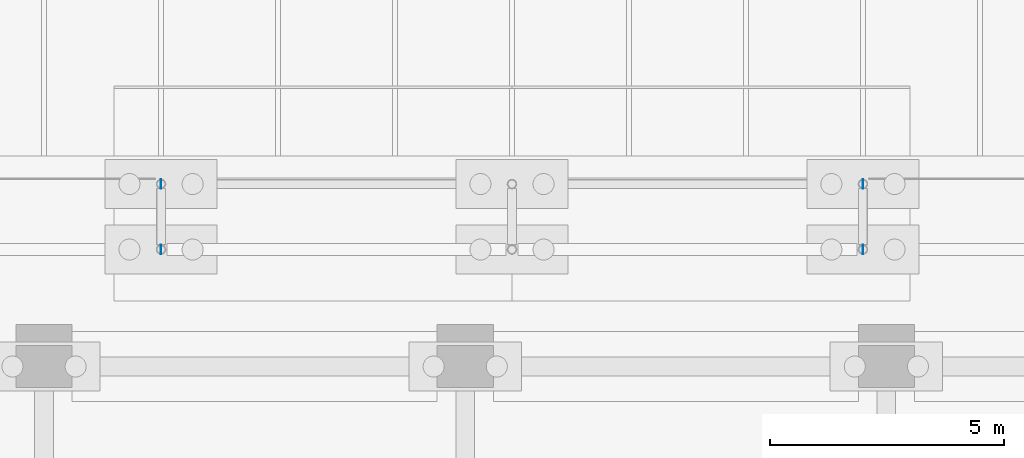
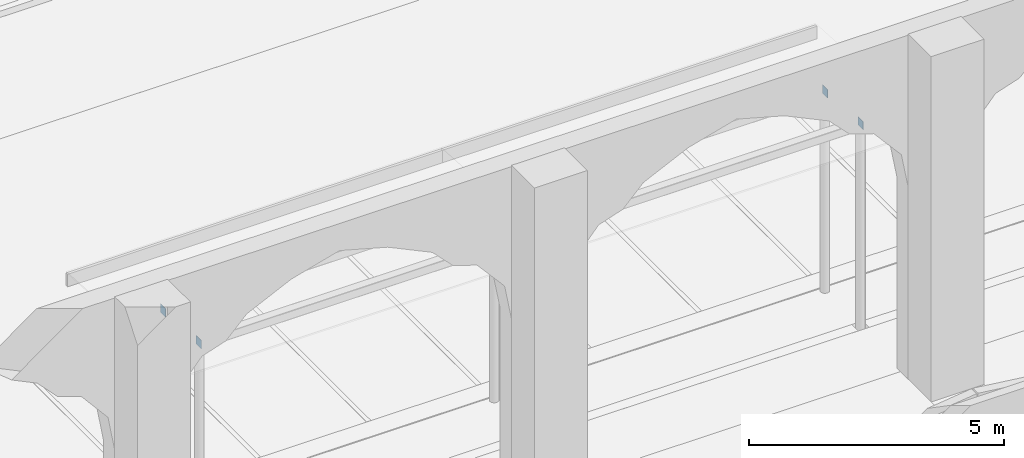
# One storey, part 169 of 250: 4 discrete accessories.
"""IFC4 building model written with IfcOpenShell, lengths in metres."""

import ifcopenshell
import ifcopenshell.guid

model = None  # the IFC model being written
_history = None  # IfcOwnerHistory: only IFC2X3 demands one
_inside = {}  # id of a spatial element -> (the spatial element, [elements in it])
_under = {}  # id of a project, library or spatial element -> (it, [spatial elements below it])
_declared = {}  # id of a project -> (the project, [libraries it declares])
_typed = {}  # id of a type object -> (the type object, [elements of that type])
_made_of = {}  # id of a material, layer set ... -> (it, [elements and type objects made of it])


def new_model(schema):
    """Start an empty IFC model of exactly this schema.

    Asked for "IFC4X3", IfcOpenShell would pick the latest addendum, in which some entities
    have other attributes; the version numbers below select the first issue.
    IFC2X3 requires an IfcOwnerHistory on every rooted entity: one is made here for all.
    """
    global model, _history
    if schema == "IFC4X3":
        model = ifcopenshell.file(schema_version=(4, 3, 0, 0))
    else:
        model = ifcopenshell.file(schema=schema)
    _inside.clear()
    _under.clear()
    _declared.clear()
    _typed.clear()
    _made_of.clear()
    _history = None
    if model.schema == "IFC2X3":
        org = make("IfcOrganization", Name="unknown")
        user = make(
            "IfcPersonAndOrganization",
            ThePerson=make("IfcPerson", FamilyName="unknown"),
            TheOrganization=org,
        )
        app = make(
            "IfcApplication",
            ApplicationDeveloper=org,
            Version="unknown",
            ApplicationFullName="unknown",
            ApplicationIdentifier="unknown",
        )
        _history = make(
            "IfcOwnerHistory",
            OwningUser=user,
            OwningApplication=app,
            ChangeAction="ADDED",
            CreationDate=0,
        )
    return model


def make(cls, **values):
    """One entity of the class cls with the attributes given. An attribute that is None is left unset."""
    return model.create_entity(
        cls, **{name: value for name, value in values.items() if value is not None}
    )


def rooted(cls, **values):
    """An entity with a GlobalId (a new one), such as an element, a storey or a relation."""
    return make(cls, GlobalId=ifcopenshell.guid.new(), OwnerHistory=_history, **values)


def si_unit(unit_type, name, prefix=None):
    """IfcSIUnit, for example si_unit("LENGTHUNIT", "METRE", prefix="MILLI")."""
    return make("IfcSIUnit", UnitType=unit_type, Prefix=prefix, Name=name)


def assignment(units):
    """IfcUnitAssignment: the units of a project."""
    return None if units is None else make("IfcUnitAssignment", Units=units)


def point(xyz):
    """IfcCartesianPoint."""
    return None if xyz is None else make("IfcCartesianPoint", Coordinates=xyz)


def direction(xyz):
    """IfcDirection."""
    return None if xyz is None else make("IfcDirection", DirectionRatios=xyz)


def frame(location, z_axis=None, x_axis=None):
    """IfcAxis2Placement3D, a coordinate frame: its origin and axes. An axis left out is left unset."""
    return make(
        "IfcAxis2Placement3D",
        Location=point(location),
        Axis=direction(z_axis),
        RefDirection=direction(x_axis),
    )


def frame_2d(location, x_axis=None):
    """IfcAxis2Placement2D, a coordinate frame in the plane: its origin and x axis."""
    return make(
        "IfcAxis2Placement2D", Location=point(location), RefDirection=direction(x_axis)
    )


def origin():
    """The frame at (0, 0, 0) with its axes left unset."""
    return frame((0.0, 0.0, 0.0))


def origin_2d():
    """The frame at (0, 0) in the plane with its x axis left unset."""
    return frame_2d((0.0, 0.0))


def place(relative_to, where):
    """IfcLocalPlacement: puts the frame where relative to a parent placement (None: the world)."""
    return make(
        "IfcLocalPlacement", PlacementRelTo=relative_to, RelativePlacement=where
    )


def context(
    kind, dimensions, precision=None, world=None, true_north=None, identifier=None
):
    """IfcGeometricRepresentationContext, for example the 3D "Model" context."""
    return make(
        "IfcGeometricRepresentationContext",
        ContextIdentifier=identifier,
        ContextType=kind,
        CoordinateSpaceDimension=dimensions,
        Precision=precision,
        WorldCoordinateSystem=world,
        TrueNorth=true_north,
    )


def subcontext(parent, identifier, kind, view, scale=None):
    """IfcGeometricRepresentationSubContext, for example "Body" below "Model"."""
    return make(
        "IfcGeometricRepresentationSubContext",
        ContextIdentifier=identifier,
        ContextType=kind,
        ParentContext=parent,
        TargetScale=scale,
        TargetView=view,
    )


def project(units=None, contexts=None):
    """IfcProject with its units and contexts."""
    return rooted(
        "IfcProject",
        Name="project",
        RepresentationContexts=contexts,
        UnitsInContext=assignment(units),
    )


def spatial(cls, under=None, at=None, **own):
    """A site, building, storey or space (cls), placed at a placement, below another one or the project."""
    s = rooted(cls, ObjectPlacement=at, **own)
    if under is not None:
        _under.setdefault(under.id(), (under, []))[1].append(s)
    return s


def profile(cls, at=None, kind="AREA", **sizes):
    """A parametric profile (cls). Its sizes go by their IFC names, for example OverallWidth=200.0."""
    return make(cls, ProfileType=kind, Position=at, **sizes)


def rectangle(**sizes):
    """IfcRectangleProfileDef."""
    return profile("IfcRectangleProfileDef", **sizes)


def extrude(swept, where, along, depth):
    """IfcExtrudedAreaSolid: the profile swept, set in the frame where, extruded along a direction by depth."""
    return make(
        "IfcExtrudedAreaSolid",
        SweptArea=swept,
        Position=where,
        ExtrudedDirection=direction(along),
        Depth=depth,
    )


def shape(context_of_items, identifier, shape_type, items):
    """IfcShapeRepresentation: the items that make up one representation, for example the "Body"."""
    return make(
        "IfcShapeRepresentation",
        ContextOfItems=context_of_items,
        RepresentationIdentifier=identifier,
        RepresentationType=shape_type,
        Items=items,
    )


def material(Name=None, Category=None):
    """IfcMaterial."""
    return make("IfcMaterial", Name=Name, Category=Category)


def made_of(thing, what):
    """Note that an element or type object is made of a material, layer set ...; save() writes the relation."""
    if what is not None:
        _made_of.setdefault(what.id(), (what, []))[1].append(thing)
    return thing


def type_object(cls, material=None, **own):
    """A type object (cls), such as IfcWallType, which elements share."""
    return made_of(rooted(cls, **own), material)


def element(
    cls,
    number,
    at=None,
    inside=None,
    cuts=None,
    type_object=None,
    material=None,
    context=None,
    identifier="Body",
    shape_type=None,
    held_by="IfcProductDefinitionShape",
    body=None,
    shapes=None,
    **own,
):
    """One element of the class cls, such as IfcWall. Its Tag is "e" and its number.

    at: its placement. inside: the storey or other place that contains it. cuts: it is an
    opening in that element (IfcRelVoidsElement). A single representation is given by context,
    identifier, shape_type and body (its items); several are given by shapes. held_by: the class
    of the entity that holds the representations. save() writes the other relations.
    """
    e = rooted(cls, Tag="e%d" % number, ObjectPlacement=at, **own)
    if body is not None:
        shapes = [shape(context, identifier, shape_type, body)]
    if shapes is not None:
        e.Representation = make(held_by, Representations=shapes)
    if inside is not None:
        _inside.setdefault(inside.id(), (inside, []))[1].append(e)
    if cuts is not None:
        rooted(
            "IfcRelVoidsElement", RelatingBuildingElement=cuts, RelatedOpeningElement=e
        )
    if type_object is not None:
        _typed.setdefault(type_object.id(), (type_object, []))[1].append(e)
    return made_of(e, material)


def aggregate(whole, parts):
    """IfcRelAggregates: a whole, such as a stair, and the parts it consists of."""
    return rooted("IfcRelAggregates", RelatingObject=whole, RelatedObjects=parts)


def save(model, path):
    """Write the relations noted so far, then the file.

    IfcRelAggregates (storeys below a building ...), IfcRelContainedInSpatialStructure (elements
    in a storey), IfcRelDefinesByType, IfcRelAssociatesMaterial and IfcRelDeclares: one each for
    every whole, place, type object, material and project.
    """
    for whole, parts in _under.values():
        aggregate(whole, parts)
    for where, things in _inside.values():
        rooted(
            "IfcRelContainedInSpatialStructure",
            RelatedElements=things,
            RelatingStructure=where,
        )
    for kind, things in _typed.values():
        rooted("IfcRelDefinesByType", RelatedObjects=things, RelatingType=kind)
    for what, things in _made_of.values():
        rooted("IfcRelAssociatesMaterial", RelatedObjects=things, RelatingMaterial=what)
    for by, libraries in _declared.values():
        rooted("IfcRelDeclares", RelatingContext=by, RelatedDefinitions=libraries)
    model.write(path)


model = new_model("IFC4")

# Units and contexts
model_context = context("Model", 3, precision=1e-05, world=origin(), true_north=direction((0.0, 1.0)))
body_context = subcontext(model_context, "Body", "Model", "MODEL_VIEW")
ifc_project = project(units=[si_unit("LENGTHUNIT", "METRE"), si_unit("AREAUNIT", "SQUARE_METRE"), si_unit("VOLUMEUNIT", "CUBIC_METRE"), si_unit("PLANEANGLEUNIT", "RADIAN"), si_unit("MASSUNIT", "GRAM", prefix="KILO")], contexts=[model_context])

# Site, building, storey
site_placement = place(None, origin())
site = spatial("IfcSite", under=ifc_project, at=site_placement, CompositionType="ELEMENT")
building_placement = place(site_placement, origin())
building = spatial("IfcBuilding", under=site, at=building_placement, Name="Baradari Gate Terminus", CompositionType="ELEMENT")
storey_placement = place(building_placement, origin())
storey = spatial("IfcBuildingStorey", under=building, at=storey_placement, Name="L00", CompositionType="ELEMENT", Elevation=0.0)

# Discrete accessories
ifc_material = material(Name="Steel S355", Category="steel")
discrete_accessory_type = type_object("IfcDiscreteAccessoryType", Name="Hollow section end plate EP-1 200x200x10", PredefinedType="ANCHORPLATE", material=ifc_material)
for number, where, z_axis, x_axis, name in (
    (1, (182.489990234375, 119.5, 4.860107421875), (1.0, 0.0, 0.0), (0.0, 1.0, 0.0), "End plate EP-1 at the start of Taxi shelter edge beam 1.1"),
    (2, (197.5, 119.5, 4.860107421875), (1.0, 0.0, 0.0), (0.0, 1.0, 0.0), "End plate EP-1 at the end of Taxi shelter edge beam 1.2"),
    (3, (182.489990234375, 120.89990234375, 4.776123046875), (1.0, 0.0, 0.0), (0.0, 1.0, 0.0), "End plate EP-1 at the start of Taxi shelter edge beam 2.1"),
    (4, (197.5, 120.89990234375, 4.776123046875), (1.0, 0.0, 0.0), (0.0, 1.0, 0.0), "End plate EP-1 at the end of Taxi shelter edge beam 2.2"),
):
    element("IfcDiscreteAccessory", number, at=place(storey_placement, frame(where, z_axis=z_axis, x_axis=x_axis)), inside=storey, type_object=discrete_accessory_type, Name=name, PredefinedType="ANCHORPLATE", context=body_context, shape_type="SweptSolid", body=[
        extrude(rectangle(XDim=0.199951171875, YDim=0.199951171875, at=origin_2d()), origin(), (0.0, 0.0, 1.0), 0.010009765625),
    ])

save(model, "model.ifc")
